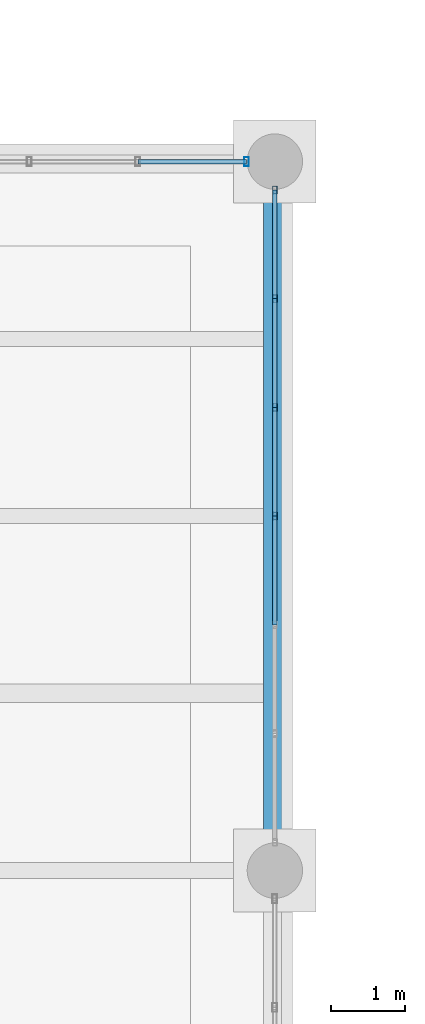
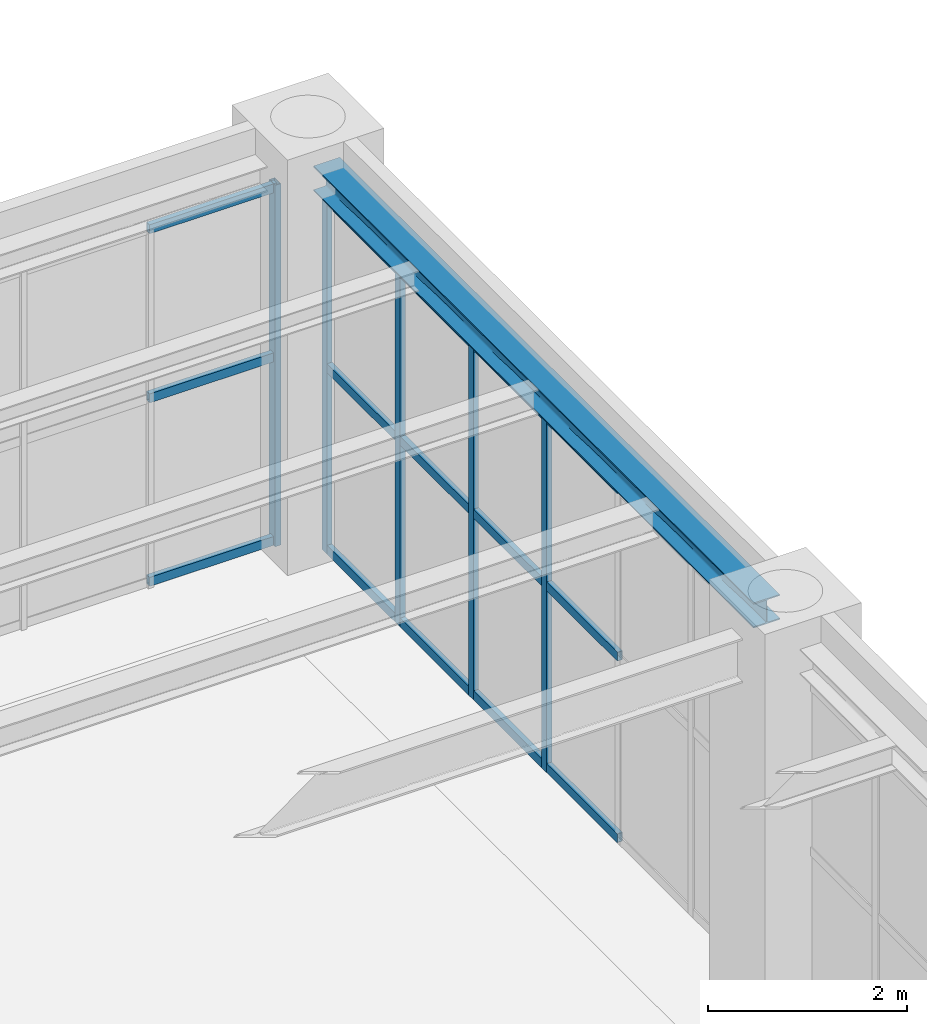
# One storey, part 82 of 174: 20 members, 1 beam, 2 elements without a shape of their own.
"""IFC4 building model written with IfcOpenShell, lengths in metres."""

from ifc_helpers import new_model, si_unit, direction, frame, origin, origin_2d, place, context, subcontext, project, spatial, hollow_rectangle, i_section, extrude, material, material_profile, profile_set, type_object, element, aggregate, save


model = new_model("IFC4")

# Units and contexts
model_context = context("Model", 3, precision=1e-05, world=origin(), true_north=direction((0.0, 1.0)))
body_context = subcontext(model_context, "Body", "Model", "MODEL_VIEW")
ifc_project = project(units=[si_unit("LENGTHUNIT", "METRE"), si_unit("AREAUNIT", "SQUARE_METRE"), si_unit("VOLUMEUNIT", "CUBIC_METRE"), si_unit("PLANEANGLEUNIT", "RADIAN"), si_unit("MASSUNIT", "GRAM", prefix="KILO")], contexts=[model_context])

# Site, building, storey
site_placement = place(None, origin())
site = spatial("IfcSite", under=ifc_project, at=site_placement, CompositionType="ELEMENT")
building_placement = place(site_placement, origin())
building = spatial("IfcBuilding", under=site, at=building_placement, Name="Mavantir Sound Aquarium", CompositionType="ELEMENT")
storey_placement = place(building_placement, frame((0.0, 0.0, 5.39990234375)))
storey = spatial("IfcBuildingStorey", under=building, at=storey_placement, Name="L01", CompositionType="ELEMENT", Elevation=5.39990234375)

# Beam
ifc_material_1 = material(Name="Structural Steel ASTM A992 Gr50", Category="steel")
ifc_material_profile_1 = material_profile(ifc_material_1, i_section(OverallWidth=0.304931640625, OverallDepth=0.30810546875, WebThickness=0.010009765625, FlangeThickness=0.015380859375, FilletRadius=0.014892578125, at=origin_2d()), Name="W310X97")
ifc_profile_set_1 = profile_set([ifc_material_profile_1], Name="Structural Steel ASTM A992 Gr50")
beam_type = type_object("IfcBeamType", Name="BM-W310X97-E", PredefinedType="SPANDREL", material=ifc_profile_set_1)
beam_placement = place(storey_placement, frame((64.800048828125, 60.375, 4.6220703125), z_axis=(0.0, 1.0, 0.0), x_axis=(-1.0, 0.0, 0.0)))
element("IfcBeam", 1, at=beam_placement, inside=storey, type_object=beam_type, Name="L01 primary girder SS-31A 1205", PredefinedType="SPANDREL", context=body_context, shape_type="SweptSolid", body=[
    extrude(i_section(OverallWidth=0.304931640625, OverallDepth=0.30810546875, WebThickness=0.010009765625, FlangeThickness=0.015380859375, FilletRadius=0.014892578125, at=origin_2d()), origin(), (0.0, 0.0, 1.0), 8.85009765625),
])

# Curtain wall, members
ifc_material_2 = material(Name="Anodised Marine Aluminium and Low-E Glass", Category="aluminium")
curtain_wall_type_1 = type_object("IfcCurtainWallType", Name="CW-T09", PredefinedType="USERDEFINED", material=ifc_material_2)
curtain_wall_1_placement = place(storey_placement, origin())
curtain_wall_1 = element("IfcCurtainWall", 2, at=curtain_wall_1_placement, inside=storey, type_object=curtain_wall_type_1, Name="L01 unitised curtain wall CW-09 57", ObjectType="UNITISED GLAZING", PredefinedType="USERDEFINED")
ifc_material_3 = material(Name="Anodised Marine Aluminium 6063-T6", Category="aluminium")
ifc_material_profile_2 = material_profile(ifc_material_3, hollow_rectangle(XDim=0.06005859375, YDim=0.10009765625, WallThickness=0.00390625, at=origin_2d()), Name="ALU-MULLION-100X60")
ifc_profile_set_2 = profile_set([ifc_material_profile_2], Name="Anodised Marine Aluminium 6063-T6")
member_type_1 = type_object("IfcMemberType", Name="CW-MUL-100", PredefinedType="MULLION", material=ifc_profile_set_2)
member_1_placement = place(storey_placement, frame((64.800048828125, 64.800048828125, 0.0), z_axis=(0.0, 0.0, 1.0), x_axis=(1.0, 0.0, 0.0)))
member_1 = element("IfcMember", 3, at=member_1_placement, type_object=member_type_1, Name="CW-L01-057 vertical mullion 4", PredefinedType="MULLION", context=body_context, shape_type="SweptSolid", body=[
    extrude(hollow_rectangle(XDim=0.06005859375, YDim=0.10009765625, WallThickness=0.00390625, at=origin_2d()), origin(), (0.0, 0.0, 1.0), 4.39306640625),
])
member_2_placement = place(storey_placement, frame((64.800048828125, 66.272216796875, 0.0), z_axis=(0.0, 0.0, 1.0), x_axis=(1.0, 0.0, 0.0)))
member_2 = element("IfcMember", 4, at=member_2_placement, type_object=member_type_1, Name="CW-L01-057 vertical mullion 5", PredefinedType="MULLION", context=body_context, shape_type="SweptSolid", body=[
    extrude(hollow_rectangle(XDim=0.06005859375, YDim=0.10009765625, WallThickness=0.00390625, at=origin_2d()), origin(), (0.0, 0.0, 1.0), 4.39306640625),
])
member_3_placement = place(storey_placement, frame((64.800048828125, 67.74462890625, 0.0), z_axis=(0.0, 0.0, 1.0), x_axis=(1.0, 0.0, 0.0)))
member_3 = element("IfcMember", 5, at=member_3_placement, type_object=member_type_1, Name="CW-L01-057 vertical mullion 6", PredefinedType="MULLION", context=body_context, shape_type="SweptSolid", body=[
    extrude(hollow_rectangle(XDim=0.06005859375, YDim=0.10009765625, WallThickness=0.00390625, at=origin_2d()), origin(), (0.0, 0.0, 1.0), 4.39306640625),
])
member_4_placement = place(storey_placement, frame((64.800048828125, 69.217041015625, 0.0), z_axis=(0.0, 0.0, 1.0), x_axis=(1.0, 0.0, 0.0)))
member_4 = element("IfcMember", 6, at=member_4_placement, type_object=member_type_1, Name="CW-L01-057 vertical mullion 7", PredefinedType="MULLION", context=body_context, shape_type="SweptSolid", body=[
    extrude(hollow_rectangle(XDim=0.06005859375, YDim=0.10009765625, WallThickness=0.00390625, at=origin_2d()), origin(), (0.0, 0.0, 1.0), 4.39306640625),
])

# Curtain wall, member
curtain_wall_type_2 = type_object("IfcCurtainWallType", Name="CW-T10", PredefinedType="USERDEFINED", material=ifc_material_2)
curtain_wall_2_placement = place(storey_placement, origin())
curtain_wall_2 = element("IfcCurtainWall", 7, at=curtain_wall_2_placement, inside=storey, type_object=curtain_wall_type_2, Name="L01 unitised curtain wall CW-10 58", ObjectType="UNITISED GLAZING", PredefinedType="USERDEFINED")
ifc_material_profile_3 = material_profile(ifc_material_3, hollow_rectangle(XDim=0.06494140625, YDim=0.1201171875, WallThickness=0.00390625, at=origin_2d()), Name="ALU-MULLION-120X65")
ifc_profile_set_3 = profile_set([ifc_material_profile_3], Name="Anodised Marine Aluminium 6063-T6")
member_type_2 = type_object("IfcMemberType", Name="CW-MUL-120", PredefinedType="MULLION", material=ifc_profile_set_3)
member_5_placement = place(storey_placement, frame((64.4169921875, 69.60009765625, 0.0), z_axis=(0.0, 0.0, 1.0), x_axis=(1.0, 0.0, 0.0)))
member_5 = element("IfcMember", 8, at=member_5_placement, type_object=member_type_2, Name="CW-L01-058 vertical mullion 1", PredefinedType="MULLION", context=body_context, shape_type="SweptSolid", body=[
    extrude(hollow_rectangle(XDim=0.06494140625, YDim=0.1201171875, WallThickness=0.00390625, at=origin_2d()), origin(), (0.0, 0.0, 1.0), 4.43798828125),
])

# Member
ifc_material_profile_4 = material_profile(ifc_material_3, hollow_rectangle(XDim=0.06005859375, YDim=0.110107421875, WallThickness=0.00390625, at=origin_2d()), Name="ALU-TRANSOM-110X60")
ifc_profile_set_4 = profile_set([ifc_material_profile_4], Name="Anodised Marine Aluminium 6063-T6")
member_type_3 = type_object("IfcMemberType", Name="CW-TRN-110", PredefinedType="USERDEFINED", material=ifc_profile_set_4)
member_6_placement = place(storey_placement, frame((64.800048828125, 63.32763671875, 0.05517578125), z_axis=(0.0, 1.0, 0.0), x_axis=(-1.0, 0.0, 0.0)))
member_6 = element("IfcMember", 9, at=member_6_placement, type_object=member_type_3, Name="CW-L01-057 transom 3.1", ObjectType="TRANSOM", PredefinedType="USERDEFINED", context=body_context, shape_type="SweptSolid", body=[
    extrude(hollow_rectangle(XDim=0.06005859375, YDim=0.110107421875, WallThickness=0.00390625, at=origin_2d()), origin(), (0.0, 0.0, 1.0), 1.472412109375),
])

member_7_placement = place(storey_placement, frame((64.800048828125, 63.32763671875, 2.284423828125), z_axis=(0.0, 1.0, 0.0), x_axis=(-1.0, 0.0, 0.0)))
member_7 = element("IfcMember", 10, at=member_7_placement, type_object=member_type_3, Name="CW-L01-057 transom 3.2", ObjectType="TRANSOM", PredefinedType="USERDEFINED", context=body_context, shape_type="SweptSolid", body=[
    extrude(hollow_rectangle(XDim=0.06005859375, YDim=0.110107421875, WallThickness=0.00390625, at=origin_2d()), origin(), (0.0, 0.0, 1.0), 1.472412109375),
])

member_8_placement = place(storey_placement, frame((64.800048828125, 63.32763671875, 4.338134765625), z_axis=(0.0, 1.0, 0.0), x_axis=(-1.0, 0.0, 0.0)))
member_8 = element("IfcMember", 11, at=member_8_placement, type_object=member_type_3, Name="CW-L01-057 transom 3.3", ObjectType="TRANSOM", PredefinedType="USERDEFINED", context=body_context, shape_type="SweptSolid", body=[
    extrude(hollow_rectangle(XDim=0.06005859375, YDim=0.110107421875, WallThickness=0.00390625, at=origin_2d()), origin(), (0.0, 0.0, 1.0), 1.472412109375),
])

member_9_placement = place(storey_placement, frame((64.800048828125, 64.800048828125, 0.05517578125), z_axis=(0.0, 1.0, 0.0), x_axis=(-1.0, 0.0, 0.0)))
member_9 = element("IfcMember", 12, at=member_9_placement, type_object=member_type_3, Name="CW-L01-057 transom 4.1", ObjectType="TRANSOM", PredefinedType="USERDEFINED", context=body_context, shape_type="SweptSolid", body=[
    extrude(hollow_rectangle(XDim=0.06005859375, YDim=0.110107421875, WallThickness=0.00390625, at=origin_2d()), origin(), (0.0, 0.0, 1.0), 1.47216796875),
])

member_10_placement = place(storey_placement, frame((64.800048828125, 64.800048828125, 2.284423828125), z_axis=(0.0, 1.0, 0.0), x_axis=(-1.0, 0.0, 0.0)))
member_10 = element("IfcMember", 13, at=member_10_placement, type_object=member_type_3, Name="CW-L01-057 transom 4.2", ObjectType="TRANSOM", PredefinedType="USERDEFINED", context=body_context, shape_type="SweptSolid", body=[
    extrude(hollow_rectangle(XDim=0.06005859375, YDim=0.110107421875, WallThickness=0.00390625, at=origin_2d()), origin(), (0.0, 0.0, 1.0), 1.47216796875),
])

member_11_placement = place(storey_placement, frame((64.800048828125, 64.800048828125, 4.338134765625), z_axis=(0.0, 1.0, 0.0), x_axis=(-1.0, 0.0, 0.0)))
member_11 = element("IfcMember", 14, at=member_11_placement, type_object=member_type_3, Name="CW-L01-057 transom 4.3", ObjectType="TRANSOM", PredefinedType="USERDEFINED", context=body_context, shape_type="SweptSolid", body=[
    extrude(hollow_rectangle(XDim=0.06005859375, YDim=0.110107421875, WallThickness=0.00390625, at=origin_2d()), origin(), (0.0, 0.0, 1.0), 1.47216796875),
])

member_12_placement = place(storey_placement, frame((64.800048828125, 66.272216796875, 0.05517578125), z_axis=(0.0, 1.0, 0.0), x_axis=(-1.0, 0.0, 0.0)))
member_12 = element("IfcMember", 15, at=member_12_placement, type_object=member_type_3, Name="CW-L01-057 transom 5.1", ObjectType="TRANSOM", PredefinedType="USERDEFINED", context=body_context, shape_type="SweptSolid", body=[
    extrude(hollow_rectangle(XDim=0.06005859375, YDim=0.110107421875, WallThickness=0.00390625, at=origin_2d()), origin(), (0.0, 0.0, 1.0), 1.472412109375),
])

member_13_placement = place(storey_placement, frame((64.800048828125, 66.272216796875, 2.284423828125), z_axis=(0.0, 1.0, 0.0), x_axis=(-1.0, 0.0, 0.0)))
member_13 = element("IfcMember", 16, at=member_13_placement, type_object=member_type_3, Name="CW-L01-057 transom 5.2", ObjectType="TRANSOM", PredefinedType="USERDEFINED", context=body_context, shape_type="SweptSolid", body=[
    extrude(hollow_rectangle(XDim=0.06005859375, YDim=0.110107421875, WallThickness=0.00390625, at=origin_2d()), origin(), (0.0, 0.0, 1.0), 1.472412109375),
])

member_14_placement = place(storey_placement, frame((64.800048828125, 66.272216796875, 4.338134765625), z_axis=(0.0, 1.0, 0.0), x_axis=(-1.0, 0.0, 0.0)))
member_14 = element("IfcMember", 17, at=member_14_placement, type_object=member_type_3, Name="CW-L01-057 transom 5.3", ObjectType="TRANSOM", PredefinedType="USERDEFINED", context=body_context, shape_type="SweptSolid", body=[
    extrude(hollow_rectangle(XDim=0.06005859375, YDim=0.110107421875, WallThickness=0.00390625, at=origin_2d()), origin(), (0.0, 0.0, 1.0), 1.472412109375),
])

member_15_placement = place(storey_placement, frame((64.800048828125, 67.74462890625, 0.05517578125), z_axis=(0.0, 1.0, 0.0), x_axis=(-1.0, 0.0, 0.0)))
member_15 = element("IfcMember", 18, at=member_15_placement, type_object=member_type_3, Name="CW-L01-057 transom 6.1", ObjectType="TRANSOM", PredefinedType="USERDEFINED", context=body_context, shape_type="SweptSolid", body=[
    extrude(hollow_rectangle(XDim=0.06005859375, YDim=0.110107421875, WallThickness=0.00390625, at=origin_2d()), origin(), (0.0, 0.0, 1.0), 1.472412109375),
])

member_16_placement = place(storey_placement, frame((64.800048828125, 67.74462890625, 2.284423828125), z_axis=(0.0, 1.0, 0.0), x_axis=(-1.0, 0.0, 0.0)))
member_16 = element("IfcMember", 19, at=member_16_placement, type_object=member_type_3, Name="CW-L01-057 transom 6.2", ObjectType="TRANSOM", PredefinedType="USERDEFINED", context=body_context, shape_type="SweptSolid", body=[
    extrude(hollow_rectangle(XDim=0.06005859375, YDim=0.110107421875, WallThickness=0.00390625, at=origin_2d()), origin(), (0.0, 0.0, 1.0), 1.472412109375),
])

member_17_placement = place(storey_placement, frame((64.800048828125, 67.74462890625, 4.338134765625), z_axis=(0.0, 1.0, 0.0), x_axis=(-1.0, 0.0, 0.0)))
member_17 = element("IfcMember", 20, at=member_17_placement, type_object=member_type_3, Name="CW-L01-057 transom 6.3", ObjectType="TRANSOM", PredefinedType="USERDEFINED", context=body_context, shape_type="SweptSolid", body=[
    extrude(hollow_rectangle(XDim=0.06005859375, YDim=0.110107421875, WallThickness=0.00390625, at=origin_2d()), origin(), (0.0, 0.0, 1.0), 1.472412109375),
])

aggregate(curtain_wall_1, [member_1, member_2, member_3, member_4, member_6, member_7, member_8, member_9, member_10, member_11, member_12, member_13, member_14, member_15, member_16, member_17])

member_18_placement = place(storey_placement, frame((64.4169921875, 69.60009765625, 0.05517578125), z_axis=(-1.0, 0.0, 0.0), x_axis=(0.0, -1.0, 0.0)))
member_18 = element("IfcMember", 21, at=member_18_placement, type_object=member_type_3, Name="CW-L01-058 transom 1.1", ObjectType="TRANSOM", PredefinedType="USERDEFINED", context=body_context, shape_type="SweptSolid", body=[
    extrude(hollow_rectangle(XDim=0.06005859375, YDim=0.110107421875, WallThickness=0.00390625, at=origin_2d()), origin(), (0.0, 0.0, 1.0), 1.472412109375),
])

member_19_placement = place(storey_placement, frame((64.4169921875, 69.60009765625, 2.307861328125), z_axis=(-1.0, 0.0, 0.0), x_axis=(0.0, -1.0, 0.0)))
member_19 = element("IfcMember", 22, at=member_19_placement, type_object=member_type_3, Name="CW-L01-058 transom 1.2", ObjectType="TRANSOM", PredefinedType="USERDEFINED", context=body_context, shape_type="SweptSolid", body=[
    extrude(hollow_rectangle(XDim=0.06005859375, YDim=0.110107421875, WallThickness=0.00390625, at=origin_2d()), origin(), (0.0, 0.0, 1.0), 1.472412109375),
])

member_20_placement = place(storey_placement, frame((64.4169921875, 69.60009765625, 4.383056640625), z_axis=(-1.0, 0.0, 0.0), x_axis=(0.0, -1.0, 0.0)))
member_20 = element("IfcMember", 23, at=member_20_placement, type_object=member_type_3, Name="CW-L01-058 transom 1.3", ObjectType="TRANSOM", PredefinedType="USERDEFINED", context=body_context, shape_type="SweptSolid", body=[
    extrude(hollow_rectangle(XDim=0.06005859375, YDim=0.110107421875, WallThickness=0.00390625, at=origin_2d()), origin(), (0.0, 0.0, 1.0), 1.472412109375),
])

aggregate(curtain_wall_2, [member_5, member_18, member_19, member_20])

save(model, "model.ifc")
